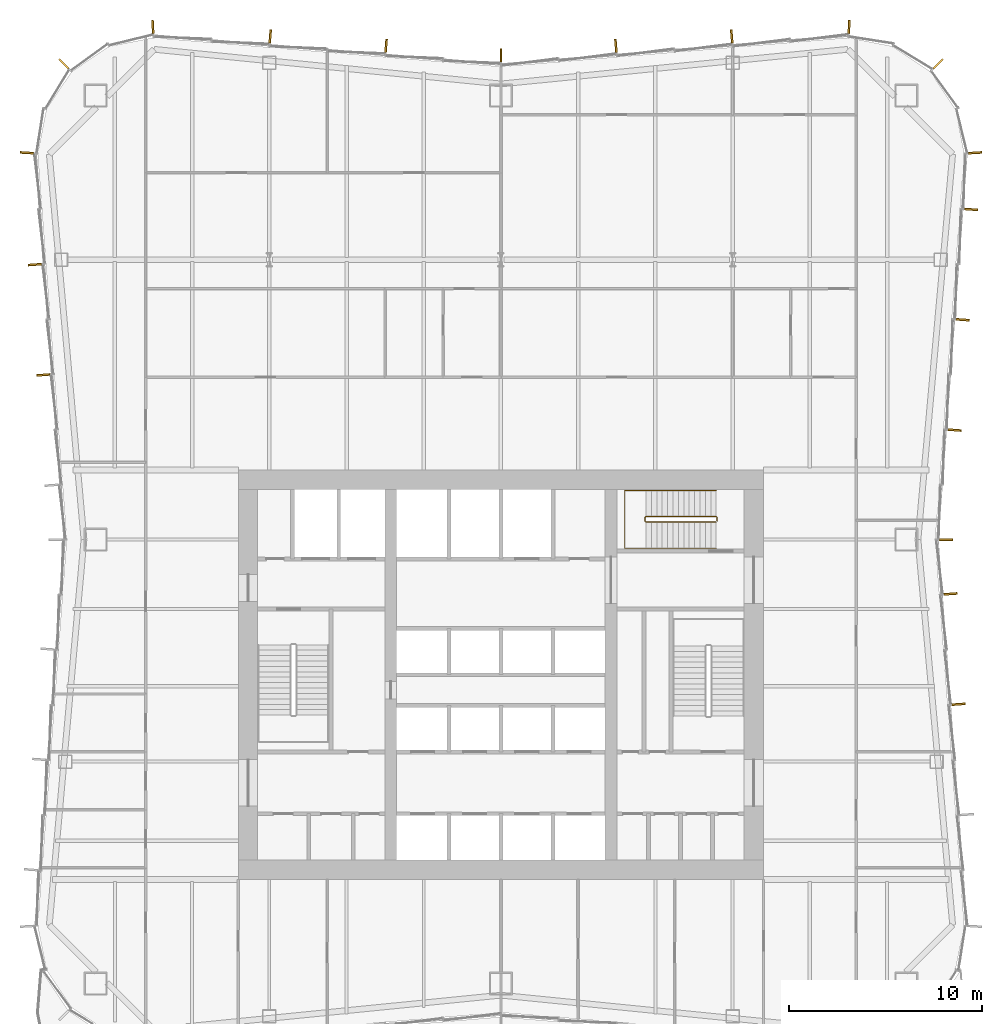
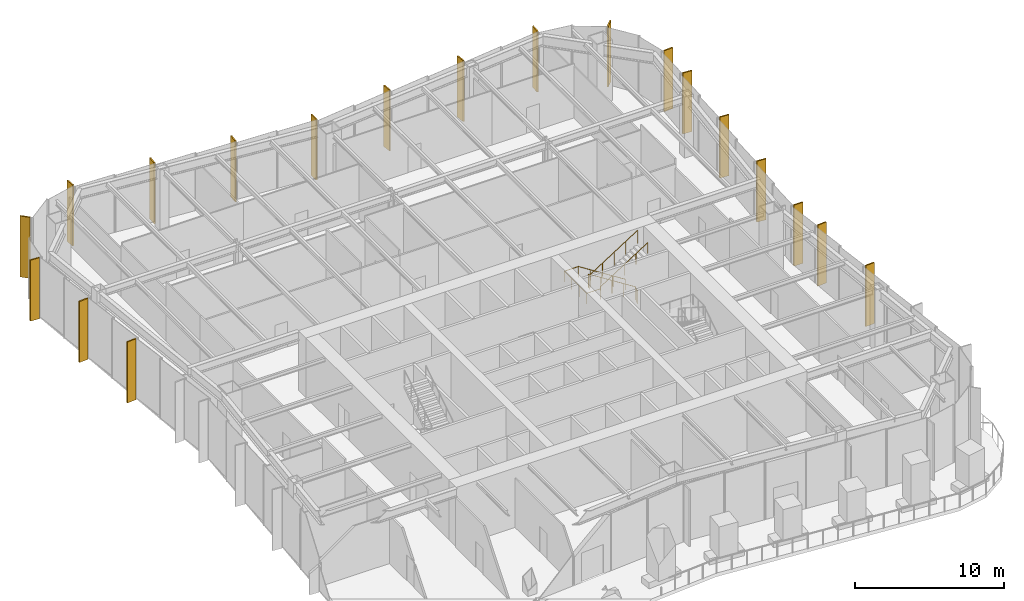
# One storey, part 14 of 15: 19 shading devices, 2 railings.
"""IFC4 building model written with IfcOpenShell, lengths in metres."""

from ifc_helpers import new_model, si_unit, direction, frame, origin, origin_2d, place, context, subcontext, project, spatial, rectangle, circle, extrude, material, layer, layer_set, type_object, element, save


model = new_model("IFC4")

# Units and contexts
model_context = context("Model", 3, precision=1e-05, world=origin(), true_north=direction((0.0, 1.0)))
body_context = subcontext(model_context, "Body", "Model", "MODEL_VIEW")
ifc_project = project(units=[si_unit("LENGTHUNIT", "METRE"), si_unit("AREAUNIT", "SQUARE_METRE"), si_unit("VOLUMEUNIT", "CUBIC_METRE"), si_unit("PLANEANGLEUNIT", "RADIAN"), si_unit("MASSUNIT", "GRAM", prefix="KILO")], contexts=[model_context])

# Site, building, storey
site_placement = place(None, origin())
site = spatial("IfcSite", under=ifc_project, at=site_placement, CompositionType="ELEMENT")
building_placement = place(site_placement, origin())
building = spatial("IfcBuilding", under=site, at=building_placement, Name="Verdant Reach Tower", CompositionType="ELEMENT")
storey_placement = place(building_placement, frame((0.0, 0.0, 121.0)))
storey = spatial("IfcBuildingStorey", under=building, at=storey_placement, Name="L27", CompositionType="ELEMENT", Elevation=121.0)

# Railings
ifc_material_1 = material(Name="Stainless steel", Category="steel")
railing_type_1 = type_object("IfcRailingType", Name="CO-GUARD", PredefinedType="GUARDRAIL", material=ifc_material_1)
railing_1_placement = place(storey_placement, frame((11.199951171875, 35.949951171875, 0.0)))
element("IfcRailing", 1, at=railing_1_placement, inside=storey, type_object=railing_type_1, Name="L27 ST-3 stair guard 1", PredefinedType="GUARDRAIL", context=body_context, shape_type="SweptSolid", body=[
    extrude(circle(Radius=0.02392578125, at=origin_2d()), frame((0.0, 0.0, 1.076171875), z_axis=(0.0, 1.0, 0.0), x_axis=(-1.0, 0.0, 0.0)), (0.0, 0.0, 1.0), 0.199951171875),
    extrude(circle(Radius=0.02392578125, at=origin_2d()), frame((0.0, 0.199951171875, 1.076171875), z_axis=(-0.260684529273, 0.260684529273, 0.929562882432), x_axis=(-0.707106781187, -0.707106781187, 0.0)), (0.0, 0.0, 1.0), 0.19189453125),
    extrude(circle(Radius=0.02392578125, at=origin_2d()), frame((-0.050048828125, 0.25, 1.25439453125), z_axis=(-0.843111507901, 0.0, 0.53773877045), x_axis=(0.0, -1.0, 0.0)), (0.0, 0.0, 1.0), 4.317138671875),
    extrude(circle(Radius=0.02392578125, at=origin_2d()), frame((-3.68994140625, 0.25, 3.576171875), z_axis=(-0.707106781187, -0.707106781187, 0.0), x_axis=(0.707106781187, -0.707106781187, 0.0)), (0.0, 0.0, 1.0), 0.07080078125),
    extrude(circle(Radius=0.02392578125, at=origin_2d()), frame((-3.739990234375, 0.199951171875, 3.576171875), z_axis=(0.0, -1.0, 0.0), x_axis=(1.0, 0.0, 0.0)), (0.0, 0.0, 1.0), 0.199951171875),
    extrude(circle(Radius=0.02392578125, at=origin_2d()), frame((-3.739990234375, 0.0, 3.576171875), z_axis=(0.260684529273, -0.260684529273, 0.929562882432), x_axis=(0.707106781187, 0.707106781187, 0.0)), (0.0, 0.0, 1.0), 0.19189453125),
    extrude(circle(Radius=0.02392578125, at=origin_2d()), frame((-3.68994140625, -0.050048828125, 3.75439453125), z_axis=(0.843111507901, 0.0, 0.53773877045), x_axis=(0.0, 1.0, 0.0)), (0.0, 0.0, 1.0), 4.317138671875),
    extrude(circle(Radius=0.02099609375, at=origin_2d()), origin(), (0.0, 0.0, 1.0), 1.052001953125),
    extrude(circle(Radius=0.02099609375, at=origin_2d()), frame((0.0, 0.199951171875, 0.0)), (0.0, 0.0, 1.0), 1.052001953125),
    extrude(circle(Radius=0.02099609375, at=origin_2d()), frame((-0.050048828125, 0.25, 0.178466796875)), (0.0, 0.0, 1.0), 1.052001953125),
    extrude(circle(Radius=0.02099609375, at=origin_2d()), frame((-0.9599609375, 0.25, 0.7587890625)), (0.0, 0.0, 1.0), 1.052001953125),
    extrude(circle(Radius=0.02099609375, at=origin_2d()), frame((-1.8701171875, 0.25, 1.33935546875)), (0.0, 0.0, 1.0), 1.052001953125),
    extrude(circle(Radius=0.02099609375, at=origin_2d()), frame((-2.780029296875, 0.25, 1.919677734375)), (0.0, 0.0, 1.0), 1.052001953125),
    extrude(circle(Radius=0.02099609375, at=origin_2d()), frame((-3.68994140625, 0.25, 2.5)), (0.0, 0.0, 1.0), 1.052001953125),
    extrude(circle(Radius=0.02099609375, at=origin_2d()), frame((-3.739990234375, 0.199951171875, 2.5)), (0.0, 0.0, 1.0), 1.052001953125),
    extrude(circle(Radius=0.02099609375, at=origin_2d()), frame((-3.739990234375, 0.0, 2.5)), (0.0, 0.0, 1.0), 1.052001953125),
    extrude(circle(Radius=0.02099609375, at=origin_2d()), frame((-3.68994140625, -0.050048828125, 2.678466796875)), (0.0, 0.0, 1.0), 1.052001953125),
    extrude(circle(Radius=0.02099609375, at=origin_2d()), frame((-2.780029296875, -0.050048828125, 3.2587890625)), (0.0, 0.0, 1.0), 1.052001953125),
    extrude(circle(Radius=0.02099609375, at=origin_2d()), frame((-1.8701171875, -0.050048828125, 3.83935546875)), (0.0, 0.0, 1.0), 1.052001953125),
    extrude(circle(Radius=0.02099609375, at=origin_2d()), frame((-0.9599609375, -0.050048828125, 4.419677734375)), (0.0, 0.0, 1.0), 1.052001953125),
    extrude(circle(Radius=0.02099609375, at=origin_2d()), frame((-0.050048828125, -0.050048828125, 5.0)), (0.0, 0.0, 1.0), 1.052001953125),
])
railing_type_2 = type_object("IfcRailingType", Name="CO-HANDRAIL", PredefinedType="HANDRAIL", material=ifc_material_1)
railing_2_placement = place(storey_placement, frame((11.14990234375, 37.550048828125, 0.178466796875)))
element("IfcRailing", 2, at=railing_2_placement, inside=storey, type_object=railing_type_2, Name="L27 ST-3 stair handrail 1", PredefinedType="HANDRAIL", context=body_context, shape_type="SweptSolid", body=[
    extrude(circle(Radius=0.02392578125, at=origin_2d()), frame((0.0, 0.0, 0.8759765625), z_axis=(-0.843111507901, 0.0, 0.53773877045), x_axis=(0.0, -1.0, 0.0)), (0.0, 0.0, 1.0), 4.317138671875),
    extrude(circle(Radius=0.02392578125, at=origin_2d()), frame((-3.639892578125, 0.0, 3.197265625), z_axis=(-1.0, 0.0, 0.0), x_axis=(0.0, -1.0, 0.0)), (0.0, 0.0, 1.0), 1.10009765625),
    extrude(circle(Radius=0.02392578125, at=origin_2d()), frame((-4.739990234375, 0.0, 3.197265625), z_axis=(0.0, -1.0, 0.0), x_axis=(1.0, 0.0, 0.0)), (0.0, 0.0, 1.0), 3.0),
    extrude(circle(Radius=0.02392578125, at=origin_2d()), frame((-4.739990234375, -3.0, 3.197265625), z_axis=(1.0, 0.0, 0.0), x_axis=(0.0, 1.0, 0.0)), (0.0, 0.0, 1.0), 1.10009765625),
    extrude(circle(Radius=0.02392578125, at=origin_2d()), frame((-3.639892578125, -3.0, 3.197265625), z_axis=(0.0, 0.0, 1.0), x_axis=(1.0, 0.0, 0.0)), (0.0, 0.0, 1.0), 0.178466796875),
    extrude(circle(Radius=0.02392578125, at=origin_2d()), frame((-3.639892578125, -3.0, 3.3759765625), z_axis=(0.843111507901, 0.0, 0.53773877045), x_axis=(0.0, 1.0, 0.0)), (0.0, 0.0, 1.0), 4.317138671875),
    extrude(circle(Radius=0.02099609375, at=origin_2d()), origin(), (0.0, 0.0, 1.0), 0.851806640625),
    extrude(circle(Radius=0.02099609375, at=origin_2d()), frame((-0.909912109375, 0.0, 0.580322265625)), (0.0, 0.0, 1.0), 0.851806640625),
    extrude(circle(Radius=0.02099609375, at=origin_2d()), frame((-1.81982421875, 0.0, 1.16064453125)), (0.0, 0.0, 1.0), 0.851806640625),
    extrude(circle(Radius=0.02099609375, at=origin_2d()), frame((-2.72998046875, 0.0, 1.7412109375)), (0.0, 0.0, 1.0), 0.851806640625),
    extrude(circle(Radius=0.02099609375, at=origin_2d()), frame((-3.639892578125, 0.0, 2.321533203125)), (0.0, 0.0, 1.0), 0.851806640625),
    extrude(circle(Radius=0.02099609375, at=origin_2d()), frame((-4.739990234375, 0.0, 2.321533203125)), (0.0, 0.0, 1.0), 0.851806640625),
    extrude(circle(Radius=0.02099609375, at=origin_2d()), frame((-4.739990234375, -1.0, 2.321533203125)), (0.0, 0.0, 1.0), 0.851806640625),
    extrude(circle(Radius=0.02099609375, at=origin_2d()), frame((-4.739990234375, -2.0, 2.321533203125)), (0.0, 0.0, 1.0), 0.851806640625),
    extrude(circle(Radius=0.02099609375, at=origin_2d()), frame((-4.739990234375, -3.0, 2.321533203125)), (0.0, 0.0, 1.0), 0.851806640625),
    extrude(circle(Radius=0.02099609375, at=origin_2d()), frame((-3.639892578125, -3.0, 2.321533203125)), (0.0, 0.0, 1.0), 0.851806640625),
    extrude(circle(Radius=0.02099609375, at=origin_2d()), frame((-3.639892578125, -3.0, 2.5)), (0.0, 0.0, 1.0), 0.851806640625),
    extrude(circle(Radius=0.02099609375, at=origin_2d()), frame((-2.72998046875, -3.0, 3.080322265625)), (0.0, 0.0, 1.0), 0.851806640625),
    extrude(circle(Radius=0.02099609375, at=origin_2d()), frame((-1.81982421875, -3.0, 3.66064453125)), (0.0, 0.0, 1.0), 0.851806640625),
    extrude(circle(Radius=0.02099609375, at=origin_2d()), frame((-0.909912109375, -3.0, 4.2412109375)), (0.0, 0.0, 1.0), 0.851806640625),
    extrude(circle(Radius=0.02099609375, at=origin_2d()), frame((0.0, -3.0, 4.821533203125)), (0.0, 0.0, 1.0), 0.851806640625),
])

# Shading devices
ifc_material_2 = material(Name="Bronze fin, champagne", Category="aluminium")
ifc_layer_1 = layer(ifc_material_2, 0.10009765625)
ifc_layer_set_1 = layer_set([ifc_layer_1], Name="EN-FIN CHAMPAGNE")
shading_device_type_1 = type_object("IfcShadingDeviceType", Name="EN-FIN CHAMPAGNE", PredefinedType="USERDEFINED", material=ifc_layer_set_1)
for number, where, z_axis, x_axis, name in (
    (3, (23.91748046875, 46.386474609375, -0.35009765625), (0.0, 0.0, 1.0), (0.074789948245, 0.997199309888, 0.0), "Fin east face part 2 5, L27"),
    (4, (22.639892578125, 59.639892578125, -0.35009765625), (0.0, 0.0, 1.0), (-0.707106781187, 0.707106781187, 0.0), "Fin north-east corner 3, L27"),
    (5, (18.03173828125, 61.56103515625, -0.35009765625), (0.0, 0.0, 1.0), (-0.998398681387, 0.056569187765, 0.0), "Fin north face part 1 1, L27"),
    (6, (11.953369140625, 61.06005859375, -0.35009765625), (0.0, 0.0, 1.0), (-0.996545758244, -0.083045479859, 0.0), "Fin north face part 1 3, L27"),
    (7, (-5.953369140625, 60.56005859375, -0.35009765625), (0.0, 0.0, 1.0), (-0.996545758244, 0.083045479859, 0.0), "Fin north face part 2 3, L27"),
    (8, (-18.03173828125, 61.56103515625, -0.35009765625), (0.0, 0.0, 1.0), (-0.998398681387, -0.056569187765, 0.0), "Fin north-west corner 1, L27"),
    (9, (-22.639892578125, 59.639892578125, -0.35009765625), (0.0, 0.0, 1.0), (-0.707106781187, -0.707106781187, 0.0), "Fin north-west corner 3, L27"),
    (10, (-24.56103515625, 55.0341796875, -0.35009765625), (0.0, 0.0, 1.0), (-0.060702752526, -0.998155887542, 0.0), "Fin west face part 1 1, L27"),
):
    element("IfcShadingDevice", number, at=place(storey_placement, frame(where, z_axis=z_axis, x_axis=x_axis)), inside=storey, type_object=shading_device_type_1, Name=name, ObjectType="FIN", PredefinedType="USERDEFINED", context=body_context, shape_type="SweptSolid", body=[
        extrude(rectangle(XDim=0.10009765625, YDim=0.699951171875, at=origin_2d()), origin(), (0.0, 0.0, 1.0), 5.0),
    ])
ifc_material_3 = material(Name="Bronze fin, copper", Category="aluminium")
ifc_layer_2 = layer(ifc_material_3, 0.10009765625)
ifc_layer_set_2 = layer_set([ifc_layer_2], Name="EN-FIN COPPER")
shading_device_type_2 = type_object("IfcShadingDeviceType", Name="EN-FIN COPPER", PredefinedType="USERDEFINED", material=ifc_layer_set_2)
for number, where, z_axis, x_axis, name in (
    (11, (23.703369140625, 26.470703125, -0.35009765625), (0.0, 0.0, 1.0), (-0.074789948245, 0.997199309888, 0.0), "Fin east face part 1 5, L27"),
    (12, (23.274658203125, 32.184814453125, -0.35009765625), (0.0, 0.0, 1.0), (-0.074789948245, 0.997199309888, 0.0), "Fin east face part 1 7, L27"),
    (13, (23.06201171875, 35.0, -0.35009765625), (0.0, 0.0, 1.0), (0.0, 1.0, 0.0), "Fin east face part 2 1, L27"),
    (14, (24.34619140625, 52.100830078125, -0.35009765625), (0.0, 0.0, 1.0), (0.074789948245, 0.997199309888, 0.0), "Fin east face part 2 7, L27"),
    (15, (5.953369140625, 60.56005859375, -0.35009765625), (0.0, 0.0, 1.0), (-0.996545758244, -0.083045479859, 0.0), "Fin north face part 1 5, L27"),
    (16, (-11.953369140625, 61.06005859375, -0.35009765625), (0.0, 0.0, 1.0), (-0.996545758244, 0.083045479859, 0.0), "Fin north face part 2 5, L27"),
    (17, (-24.1318359375, 49.24365234375, -0.35009765625), (0.0, 0.0, 1.0), (0.074789948245, -0.997199309888, 0.0), "Fin west face part 1 3, L27"),
):
    element("IfcShadingDevice", number, at=place(storey_placement, frame(where, z_axis=z_axis, x_axis=x_axis)), inside=storey, type_object=shading_device_type_2, Name=name, ObjectType="FIN", PredefinedType="USERDEFINED", context=body_context, shape_type="SweptSolid", body=[
        extrude(rectangle(XDim=0.10009765625, YDim=0.699951171875, at=origin_2d()), origin(), (0.0, 0.0, 1.0), 5.0),
    ])
ifc_material_4 = material(Name="Bronze fin, dark bronze", Category="aluminium")
ifc_layer_3 = layer(ifc_material_4, 0.10009765625)
ifc_layer_set_3 = layer_set([ifc_layer_3], Name="EN-FIN DARK")
shading_device_type_3 = type_object("IfcShadingDeviceType", Name="EN-FIN DARK", PredefinedType="USERDEFINED", material=ifc_layer_set_3)
for number, where, z_axis, x_axis, name in (
    (18, (23.489013671875, 40.67236328125, -0.35009765625), (0.0, 0.0, 1.0), (0.074789948245, 0.997199309888, 0.0), "Fin east face part 2 3, L27"),
    (19, (24.56103515625, 55.0341796875, -0.35009765625), (0.0, 0.0, 1.0), (-0.060702752526, 0.998155887542, 0.0), "Fin north-east corner 1, L27"),
    (20, (0.0, 60.06201171875, -0.35009765625), (0.0, 0.0, 1.0), (-1.0, 0.0, 0.0), "Fin north face part 2 1, L27"),
    (21, (-23.703369140625, 43.529296875, -0.35009765625), (0.0, 0.0, 1.0), (0.074789948245, -0.997199309888, 0.0), "Fin west face part 1 5, L27"),
):
    element("IfcShadingDevice", number, at=place(storey_placement, frame(where, z_axis=z_axis, x_axis=x_axis)), inside=storey, type_object=shading_device_type_3, Name=name, ObjectType="FIN", PredefinedType="USERDEFINED", context=body_context, shape_type="SweptSolid", body=[
        extrude(rectangle(XDim=0.10009765625, YDim=0.699951171875, at=origin_2d()), origin(), (0.0, 0.0, 1.0), 5.0),
    ])

save(model, "model.ifc")
